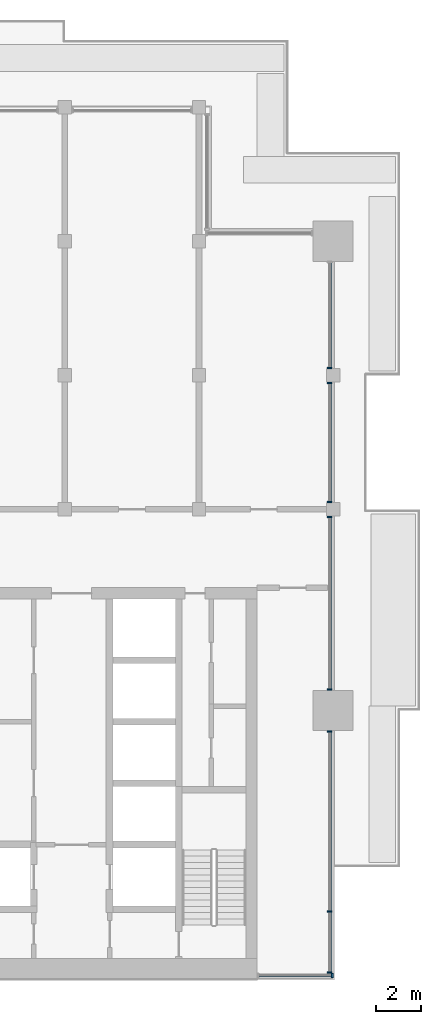
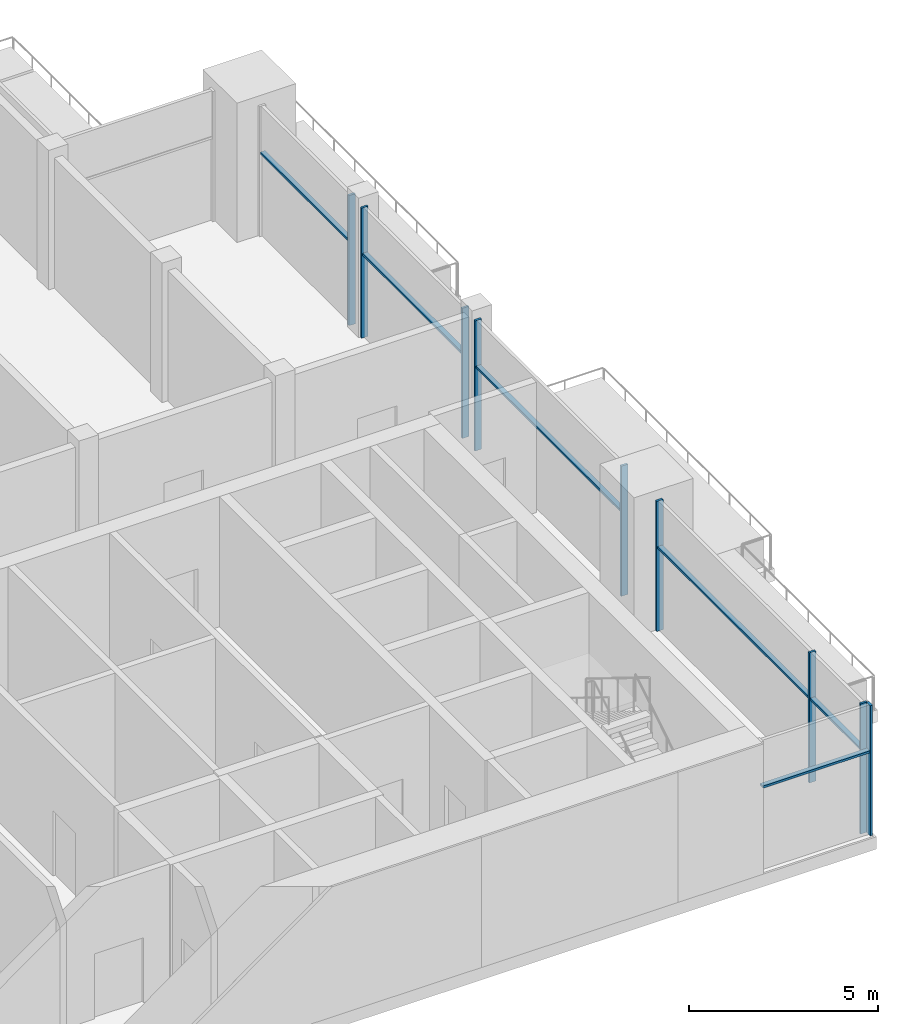
# One storey, part 3 of 9: 15 members, 5 elements without a shape of their own.
"""IFC4 building model written with IfcOpenShell, lengths in metres."""

from ifc_helpers import new_model, si_unit, direction, frame, origin, origin_2d, place, context, subcontext, project, spatial, rectangle, extrude, material, material_profile, profile_set, type_object, element, aggregate, save


model = new_model("IFC4")

# Units and contexts
model_context = context("Model", 3, precision=1e-05, world=origin(), true_north=direction((0.0, 1.0)))
body_context = subcontext(model_context, "Body", "Model", "MODEL_VIEW")
ifc_project = project(units=[si_unit("LENGTHUNIT", "METRE"), si_unit("AREAUNIT", "SQUARE_METRE"), si_unit("VOLUMEUNIT", "CUBIC_METRE"), si_unit("PLANEANGLEUNIT", "RADIAN"), si_unit("MASSUNIT", "GRAM", prefix="KILO")], contexts=[model_context])

# Site, building, storey
site_placement = place(None, origin())
site = spatial("IfcSite", under=ifc_project, at=site_placement, CompositionType="ELEMENT")
building_placement = place(site_placement, origin())
building = spatial("IfcBuilding", under=site, at=building_placement, Name="Finial Court Residences", CompositionType="ELEMENT")
storey_placement = place(building_placement, frame((0.0, 0.0, 298.699951171875)))
storey = spatial("IfcBuildingStorey", under=building, at=storey_placement, Name="L76", CompositionType="ELEMENT", Elevation=298.699951171875)

# Curtain wall, members
ifc_material = material(Name="Bronze anodised aluminium", Category="aluminium")
curtain_wall_type = type_object("IfcCurtainWallType", Name="Crown lantern glazing", PredefinedType="NOTDEFINED", material=ifc_material)
curtain_wall_1_placement = place(storey_placement, origin())
curtain_wall_1 = element("IfcCurtainWall", 1, at=curtain_wall_1_placement, inside=storey, type_object=curtain_wall_type, Name="E-L76-CW-E2c1", PredefinedType="NOTDEFINED")
ifc_material_profile_1 = material_profile(ifc_material, rectangle(XDim=0.199951171875, YDim=0.070068359375, at=origin_2d()), Name="CW6 mullion 70 x 200")
ifc_profile_set_1 = profile_set([ifc_material_profile_1], Name="Bronze anodised aluminium")
member_type_1 = type_object("IfcMemberType", Name="CW6 mullion 70 x 200", PredefinedType="MULLION", material=ifc_profile_set_1)
member_1_placement = place(storey_placement, frame((16.35009765625, -25.215087890625, 0.0), z_axis=(0.0, 0.0, 1.0), x_axis=(-1.0, 0.0, 0.0)))
member_1 = element("IfcMember", 2, at=member_1_placement, type_object=member_type_1, Name="CW6 mullion 1", PredefinedType="MULLION", context=body_context, shape_type="SweptSolid", body=[
    extrude(rectangle(XDim=0.199951171875, YDim=0.070068359375, at=origin_2d()), origin(), (0.0, 0.0, 1.0), 4.199951171875),
])
member_2_placement = place(storey_placement, frame((16.35009765625, -22.5, 0.0), z_axis=(0.0, 0.0, 1.0), x_axis=(-1.0, 0.0, 0.0)))
member_2 = element("IfcMember", 3, at=member_2_placement, type_object=member_type_1, Name="CW6 mullion 2", PredefinedType="MULLION", context=body_context, shape_type="SweptSolid", body=[
    extrude(rectangle(XDim=0.199951171875, YDim=0.070068359375, at=origin_2d()), origin(), (0.0, 0.0, 1.0), 4.199951171875),
])
member_3_placement = place(storey_placement, frame((16.35009765625, -14.43505859375, 0.0), z_axis=(0.0, 0.0, 1.0), x_axis=(-1.0, 0.0, 0.0)))
member_3 = element("IfcMember", 4, at=member_3_placement, type_object=member_type_1, Name="CW6 mullion 3", PredefinedType="MULLION", context=body_context, shape_type="SweptSolid", body=[
    extrude(rectangle(XDim=0.199951171875, YDim=0.070068359375, at=origin_2d()), origin(), (0.0, 0.0, 1.0), 4.199951171875),
])

curtain_wall_2_placement = place(storey_placement, origin())
curtain_wall_2 = element("IfcCurtainWall", 5, at=curtain_wall_2_placement, inside=storey, type_object=curtain_wall_type, Name="E-L76-CW-E2c2", PredefinedType="NOTDEFINED")
member_4_placement = place(storey_placement, frame((16.35009765625, -12.56494140625, 0.0), z_axis=(0.0, 0.0, 1.0), x_axis=(-1.0, 0.0, 0.0)))
member_4 = element("IfcMember", 6, at=member_4_placement, type_object=member_type_1, Name="CW6 mullion 1", PredefinedType="MULLION", context=body_context, shape_type="SweptSolid", body=[
    extrude(rectangle(XDim=0.199951171875, YDim=0.070068359375, at=origin_2d()), origin(), (0.0, 0.0, 1.0), 4.199951171875),
])
member_5_placement = place(storey_placement, frame((16.35009765625, -4.8349609375, 0.0), z_axis=(0.0, 0.0, 1.0), x_axis=(-1.0, 0.0, 0.0)))
member_5 = element("IfcMember", 7, at=member_5_placement, type_object=member_type_1, Name="CW6 mullion 2", PredefinedType="MULLION", context=body_context, shape_type="SweptSolid", body=[
    extrude(rectangle(XDim=0.199951171875, YDim=0.070068359375, at=origin_2d()), origin(), (0.0, 0.0, 1.0), 4.199951171875),
])

curtain_wall_3_placement = place(storey_placement, origin())
curtain_wall_3 = element("IfcCurtainWall", 8, at=curtain_wall_3_placement, inside=storey, type_object=curtain_wall_type, Name="E-L76-CW-E2c3", PredefinedType="NOTDEFINED")
member_6_placement = place(storey_placement, frame((16.35009765625, -4.1650390625, 0.0), z_axis=(0.0, 0.0, 1.0), x_axis=(-1.0, 0.0, 0.0)))
member_6 = element("IfcMember", 9, at=member_6_placement, type_object=member_type_1, Name="CW6 mullion 1", PredefinedType="MULLION", context=body_context, shape_type="SweptSolid", body=[
    extrude(rectangle(XDim=0.199951171875, YDim=0.070068359375, at=origin_2d()), origin(), (0.0, 0.0, 1.0), 4.199951171875),
])
member_7_placement = place(storey_placement, frame((16.35009765625, 1.1650390625, 0.0), z_axis=(0.0, 0.0, 1.0), x_axis=(-1.0, 0.0, 0.0)))
member_7 = element("IfcMember", 10, at=member_7_placement, type_object=member_type_1, Name="CW6 mullion 2", PredefinedType="MULLION", context=body_context, shape_type="SweptSolid", body=[
    extrude(rectangle(XDim=0.199951171875, YDim=0.070068359375, at=origin_2d()), origin(), (0.0, 0.0, 1.0), 4.199951171875),
])

# Curtain wall, member
curtain_wall_4_placement = place(storey_placement, origin())
curtain_wall_4 = element("IfcCurtainWall", 11, at=curtain_wall_4_placement, inside=storey, type_object=curtain_wall_type, Name="E-L76-CW-E2c4", PredefinedType="NOTDEFINED")
member_8_placement = place(storey_placement, frame((16.35009765625, 1.8349609375, 0.0), z_axis=(0.0, 0.0, 1.0), x_axis=(-1.0, 0.0, 0.0)))
member_8 = element("IfcMember", 12, at=member_8_placement, type_object=member_type_1, Name="CW6 mullion 1", PredefinedType="MULLION", context=body_context, shape_type="SweptSolid", body=[
    extrude(rectangle(XDim=0.199951171875, YDim=0.070068359375, at=origin_2d()), origin(), (0.0, 0.0, 1.0), 4.199951171875),
])

curtain_wall_5_placement = place(storey_placement, origin())
curtain_wall_5 = element("IfcCurtainWall", 13, at=curtain_wall_5_placement, inside=storey, type_object=curtain_wall_type, Name="E-L76-CW-S4", PredefinedType="NOTDEFINED")
member_9_placement = place(storey_placement, frame((16.465087890625, -25.35009765625, 0.0), z_axis=(0.0, 0.0, 1.0), x_axis=(0.0, 1.0, 0.0)))
member_9 = element("IfcMember", 14, at=member_9_placement, type_object=member_type_1, Name="CW6 mullion 2", PredefinedType="MULLION", context=body_context, shape_type="SweptSolid", body=[
    extrude(rectangle(XDim=0.199951171875, YDim=0.070068359375, at=origin_2d()), origin(), (0.0, 0.0, 1.0), 4.199951171875),
])

# Member
ifc_material_profile_2 = material_profile(ifc_material, rectangle(XDim=0.14990234375, YDim=0.070068359375, at=origin_2d()), Name="CW6 transom 70 x 150")
ifc_profile_set_2 = profile_set([ifc_material_profile_2], Name="Bronze anodised aluminium")
member_type_2 = type_object("IfcMemberType", Name="CW6 transom 70 x 150", PredefinedType="USERDEFINED", material=ifc_profile_set_2)
member_10_placement = place(storey_placement, frame((16.35009765625, -25.179931640625, 2.699951171875), z_axis=(0.0, 1.0, 0.0), x_axis=(-1.0, 0.0, 0.0)))
member_10 = element("IfcMember", 15, at=member_10_placement, type_object=member_type_2, Name="CW6 transom 1.1", ObjectType="TRANSOM", PredefinedType="USERDEFINED", context=body_context, shape_type="SweptSolid", body=[
    extrude(rectangle(XDim=0.14990234375, YDim=0.070068359375, at=origin_2d()), origin(), (0.0, 0.0, 1.0), 2.64501953125),
])

member_11_placement = place(storey_placement, frame((16.35009765625, -22.465087890625, 2.699951171875), z_axis=(0.0, 1.0, 0.0), x_axis=(-1.0, 0.0, 0.0)))
member_11 = element("IfcMember", 16, at=member_11_placement, type_object=member_type_2, Name="CW6 transom 2.1", ObjectType="TRANSOM", PredefinedType="USERDEFINED", context=body_context, shape_type="SweptSolid", body=[
    extrude(rectangle(XDim=0.14990234375, YDim=0.070068359375, at=origin_2d()), origin(), (0.0, 0.0, 1.0), 7.9951171875),
])

aggregate(curtain_wall_1, [member_1, member_2, member_3, member_10, member_11])

member_12_placement = place(storey_placement, frame((16.35009765625, -12.530029296875, 2.699951171875), z_axis=(0.0, 1.0, 0.0), x_axis=(-1.0, 0.0, 0.0)))
member_12 = element("IfcMember", 17, at=member_12_placement, type_object=member_type_2, Name="CW6 transom 1.1", ObjectType="TRANSOM", PredefinedType="USERDEFINED", context=body_context, shape_type="SweptSolid", body=[
    extrude(rectangle(XDim=0.14990234375, YDim=0.070068359375, at=origin_2d()), origin(), (0.0, 0.0, 1.0), 7.659912109375),
])

aggregate(curtain_wall_2, [member_4, member_5, member_12])

member_13_placement = place(storey_placement, frame((16.35009765625, -4.1298828125, 2.699951171875), z_axis=(0.0, 1.0, 0.0), x_axis=(-1.0, 0.0, 0.0)))
member_13 = element("IfcMember", 18, at=member_13_placement, type_object=member_type_2, Name="CW6 transom 1.1", ObjectType="TRANSOM", PredefinedType="USERDEFINED", context=body_context, shape_type="SweptSolid", body=[
    extrude(rectangle(XDim=0.14990234375, YDim=0.070068359375, at=origin_2d()), origin(), (0.0, 0.0, 1.0), 5.259765625),
])

aggregate(curtain_wall_3, [member_6, member_7, member_13])

member_14_placement = place(storey_placement, frame((16.35009765625, 1.8701171875, 2.699951171875), z_axis=(0.0, 1.0, 0.0), x_axis=(-1.0, 0.0, 0.0)))
member_14 = element("IfcMember", 19, at=member_14_placement, type_object=member_type_2, Name="CW6 transom 1.1", ObjectType="TRANSOM", PredefinedType="USERDEFINED", context=body_context, shape_type="SweptSolid", body=[
    extrude(rectangle(XDim=0.14990234375, YDim=0.070068359375, at=origin_2d()), origin(), (0.0, 0.0, 1.0), 4.659912109375),
])

aggregate(curtain_wall_4, [member_8, member_14])

member_15_placement = place(storey_placement, frame((13.169921875, -25.35009765625, 2.699951171875), z_axis=(1.0, 0.0, 0.0), x_axis=(0.0, 1.0, 0.0)))
member_15 = element("IfcMember", 20, at=member_15_placement, type_object=member_type_2, Name="CW6 transom 1.1", ObjectType="TRANSOM", PredefinedType="USERDEFINED", context=body_context, shape_type="SweptSolid", body=[
    extrude(rectangle(XDim=0.14990234375, YDim=0.070068359375, at=origin_2d()), origin(), (0.0, 0.0, 1.0), 3.260009765625),
])

aggregate(curtain_wall_5, [member_9, member_15])

save(model, "model.ifc")
